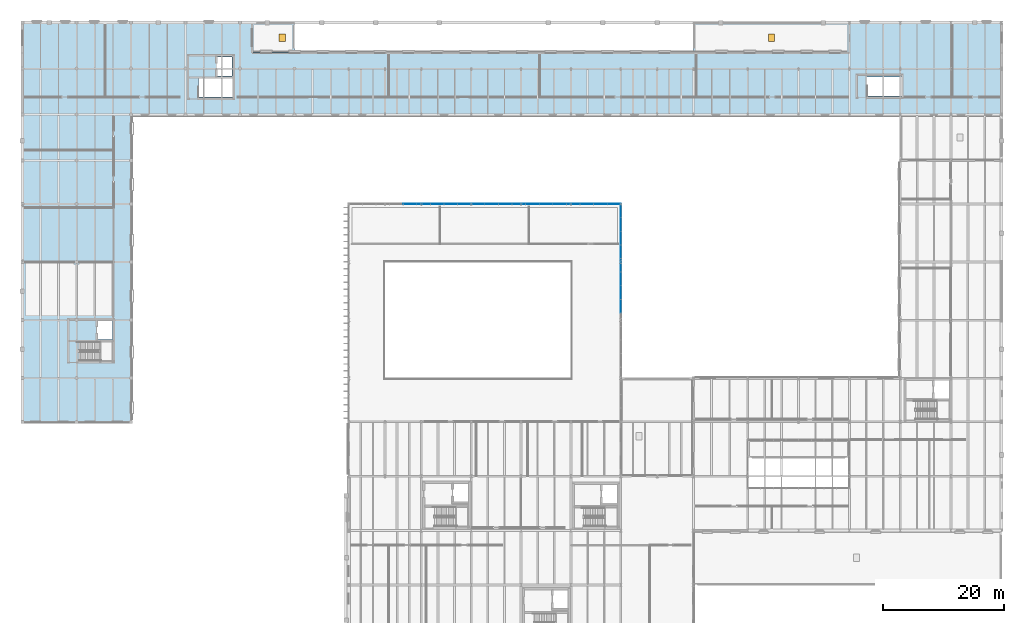
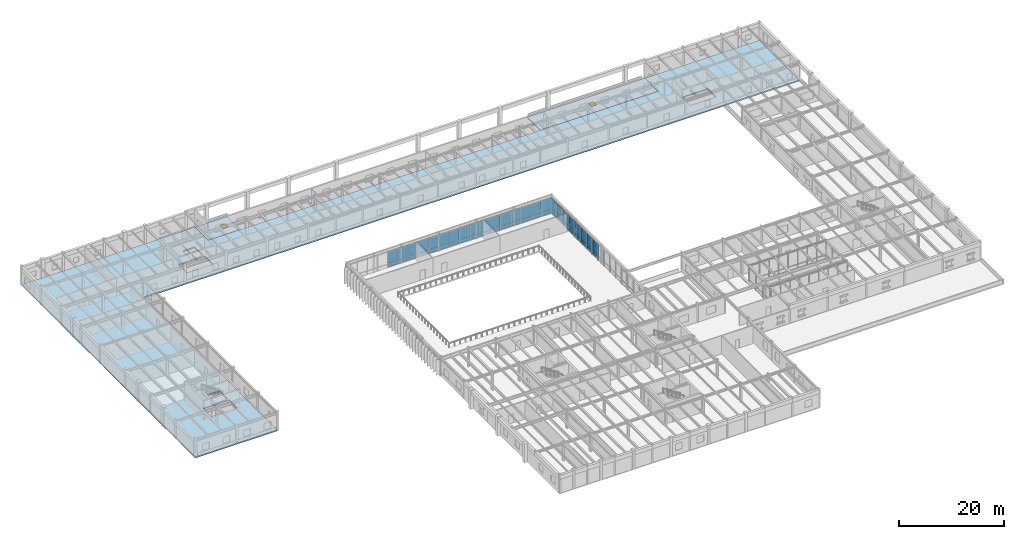
# One storey, part 37 of 64: 48 plates, 3 slabs, 2 doors, 7 openings, 8 elements without a shape of their own.
"""IFC4 building model written with IfcOpenShell, lengths in metres."""

from ifc_helpers import new_model, si_unit, direction, frame, origin, origin_2d, place, context, subcontext, project, spatial, polyline, rectangle, outline, extrude, material, layer, layer_set, type_object, element, fill, aggregate, save


model = new_model("IFC4")

# Units and contexts
model_context = context("Model", 3, precision=1e-05, world=origin(), true_north=direction((0.0, 1.0)))
body_context = subcontext(model_context, "Body", "Model", "MODEL_VIEW")
ifc_project = project(units=[si_unit("LENGTHUNIT", "METRE"), si_unit("AREAUNIT", "SQUARE_METRE"), si_unit("VOLUMEUNIT", "CUBIC_METRE"), si_unit("PLANEANGLEUNIT", "RADIAN"), si_unit("MASSUNIT", "GRAM", prefix="KILO")], contexts=[model_context])

# Site, building, storey
site_placement = place(None, origin())
site = spatial("IfcSite", under=ifc_project, at=site_placement, CompositionType="ELEMENT")
building_placement = place(site_placement, origin())
building = spatial("IfcBuilding", under=site, at=building_placement, Name="Montealbar Specialist Clinic", CompositionType="ELEMENT")
storey_placement = place(building_placement, frame((0.0, 0.0, 5.10009765625)))
storey = spatial("IfcBuildingStorey", under=building, at=storey_placement, Name="L01", CompositionType="ELEMENT", Elevation=5.10009765625)

# Curtain wall, plates
ifc_material_1 = material(Name="Low-E double glazing", Category="glass")
ifc_layer_1 = layer(ifc_material_1, 0.199951171875, Name="Low-E double glazing", Category="glass")
ifc_layer_set_1 = layer_set([ifc_layer_1], Name="Low-E double glazing")
curtain_wall_type = type_object("IfcCurtainWallType", Name="CW-TYPE-08", PredefinedType="NOTDEFINED", material=ifc_layer_set_1)
curtain_wall_1_placement = place(storey_placement, origin())
curtain_wall_1 = element("IfcCurtainWall", 1, at=curtain_wall_1_placement, inside=storey, type_object=curtain_wall_type, Name="Unitised Curtain Wall CW-L01-630-810-720-810-51", PredefinedType="NOTDEFINED")
ifc_layer_2 = layer(ifc_material_1, 0.048095703125, Name="Low-E double glazing", Category="glass")
ifc_layer_set_2 = layer_set([ifc_layer_2], Name="Low-E double glazing")
plate_type = type_object("IfcPlateType", Name="CW-PNL-IGU48", PredefinedType="CURTAIN_PANEL", material=ifc_layer_set_2)
plate_1_placement = place(storey_placement, frame((64.125, 81.0, 0.06982421875), z_axis=(0.0, 0.0, 1.0), x_axis=(1.0, 0.0, 0.0)))
plate_1 = element("IfcPlate", 2, at=plate_1_placement, type_object=plate_type, Name="Glazed Curtain Panel CW-L01-630-810-720-810-51-1-1", PredefinedType="CURTAIN_PANEL", context=body_context, shape_type="SweptSolid", body=[
    extrude(rectangle(XDim=2.177978515625, YDim=0.048095703125, at=origin_2d()), origin(), (0.0, 0.0, 1.0), 0.85009765625),
])
plate_2_placement = place(storey_placement, frame((64.125, 81.0, 0.97998046875), z_axis=(0.0, 0.0, 1.0), x_axis=(1.0, 0.0, 0.0)))
plate_2 = element("IfcPlate", 3, at=plate_2_placement, type_object=plate_type, Name="Glazed Curtain Panel CW-L01-630-810-720-810-51-1-2", PredefinedType="CURTAIN_PANEL", context=body_context, shape_type="SweptSolid", body=[
    extrude(rectangle(XDim=2.177978515625, YDim=0.048095703125, at=origin_2d()), origin(), (0.0, 0.0, 1.0), 2.75),
])
plate_3_placement = place(storey_placement, frame((66.375, 81.0, 0.06982421875), z_axis=(0.0, 0.0, 1.0), x_axis=(1.0, 0.0, 0.0)))
plate_3 = element("IfcPlate", 4, at=plate_3_placement, type_object=plate_type, Name="Glazed Curtain Panel CW-L01-630-810-720-810-51-2-1", PredefinedType="CURTAIN_PANEL", context=body_context, shape_type="SweptSolid", body=[
    extrude(rectangle(XDim=2.177978515625, YDim=0.048095703125, at=origin_2d()), origin(), (0.0, 0.0, 1.0), 0.85009765625),
])
plate_4_placement = place(storey_placement, frame((66.375, 81.0, 0.97998046875), z_axis=(0.0, 0.0, 1.0), x_axis=(1.0, 0.0, 0.0)))
plate_4 = element("IfcPlate", 5, at=plate_4_placement, type_object=plate_type, Name="Glazed Curtain Panel CW-L01-630-810-720-810-51-2-2", PredefinedType="CURTAIN_PANEL", context=body_context, shape_type="SweptSolid", body=[
    extrude(rectangle(XDim=2.177978515625, YDim=0.048095703125, at=origin_2d()), origin(), (0.0, 0.0, 1.0), 2.75),
])
plate_5_placement = place(storey_placement, frame((68.625, 81.0, 0.06982421875), z_axis=(0.0, 0.0, 1.0), x_axis=(1.0, 0.0, 0.0)))
plate_5 = element("IfcPlate", 6, at=plate_5_placement, type_object=plate_type, Name="Glazed Curtain Panel CW-L01-630-810-720-810-51-3-1", PredefinedType="CURTAIN_PANEL", context=body_context, shape_type="SweptSolid", body=[
    extrude(rectangle(XDim=2.177978515625, YDim=0.048095703125, at=origin_2d()), origin(), (0.0, 0.0, 1.0), 0.85009765625),
])
plate_6_placement = place(storey_placement, frame((68.625, 81.0, 0.97998046875), z_axis=(0.0, 0.0, 1.0), x_axis=(1.0, 0.0, 0.0)))
plate_6 = element("IfcPlate", 7, at=plate_6_placement, type_object=plate_type, Name="Glazed Curtain Panel CW-L01-630-810-720-810-51-3-2", PredefinedType="CURTAIN_PANEL", context=body_context, shape_type="SweptSolid", body=[
    extrude(rectangle(XDim=2.177978515625, YDim=0.048095703125, at=origin_2d()), origin(), (0.0, 0.0, 1.0), 2.75),
])
plate_7_placement = place(storey_placement, frame((70.875, 81.0, 0.06982421875), z_axis=(0.0, 0.0, 1.0), x_axis=(1.0, 0.0, 0.0)))
plate_7 = element("IfcPlate", 8, at=plate_7_placement, type_object=plate_type, Name="Glazed Curtain Panel CW-L01-630-810-720-810-51-4-1", PredefinedType="CURTAIN_PANEL", context=body_context, shape_type="SweptSolid", body=[
    extrude(rectangle(XDim=2.177978515625, YDim=0.048095703125, at=origin_2d()), origin(), (0.0, 0.0, 1.0), 0.85009765625),
])
plate_8_placement = place(storey_placement, frame((70.875, 81.0, 0.97998046875), z_axis=(0.0, 0.0, 1.0), x_axis=(1.0, 0.0, 0.0)))
plate_8 = element("IfcPlate", 9, at=plate_8_placement, type_object=plate_type, Name="Glazed Curtain Panel CW-L01-630-810-720-810-51-4-2", PredefinedType="CURTAIN_PANEL", context=body_context, shape_type="SweptSolid", body=[
    extrude(rectangle(XDim=2.177978515625, YDim=0.048095703125, at=origin_2d()), origin(), (0.0, 0.0, 1.0), 2.75),
])
aggregate(curtain_wall_1, [plate_1, plate_2, plate_3, plate_4, plate_5, plate_6, plate_7, plate_8])

curtain_wall_2_placement = place(storey_placement, origin())
curtain_wall_2 = element("IfcCurtainWall", 10, at=curtain_wall_2_placement, inside=storey, type_object=curtain_wall_type, Name="Unitised Curtain Wall CW-L01-720-810-810-810-51", PredefinedType="NOTDEFINED")
plate_9_placement = place(storey_placement, frame((73.125, 81.0, 0.06982421875), z_axis=(0.0, 0.0, 1.0), x_axis=(1.0, 0.0, 0.0)))
plate_9 = element("IfcPlate", 11, at=plate_9_placement, type_object=plate_type, Name="Glazed Curtain Panel CW-L01-720-810-810-810-51-1-1", PredefinedType="CURTAIN_PANEL", context=body_context, shape_type="SweptSolid", body=[
    extrude(rectangle(XDim=2.177978515625, YDim=0.048095703125, at=origin_2d()), origin(), (0.0, 0.0, 1.0), 0.85009765625),
])
plate_10_placement = place(storey_placement, frame((73.125, 81.0, 0.97998046875), z_axis=(0.0, 0.0, 1.0), x_axis=(1.0, 0.0, 0.0)))
plate_10 = element("IfcPlate", 12, at=plate_10_placement, type_object=plate_type, Name="Glazed Curtain Panel CW-L01-720-810-810-810-51-1-2", PredefinedType="CURTAIN_PANEL", context=body_context, shape_type="SweptSolid", body=[
    extrude(rectangle(XDim=2.177978515625, YDim=0.048095703125, at=origin_2d()), origin(), (0.0, 0.0, 1.0), 2.75),
])
plate_11_placement = place(storey_placement, frame((75.375, 81.0, 0.06982421875), z_axis=(0.0, 0.0, 1.0), x_axis=(1.0, 0.0, 0.0)))
plate_11 = element("IfcPlate", 13, at=plate_11_placement, type_object=plate_type, Name="Glazed Curtain Panel CW-L01-720-810-810-810-51-2-1", PredefinedType="CURTAIN_PANEL", context=body_context, shape_type="SweptSolid", body=[
    extrude(rectangle(XDim=2.177978515625, YDim=0.048095703125, at=origin_2d()), origin(), (0.0, 0.0, 1.0), 0.85009765625),
])
plate_12_placement = place(storey_placement, frame((75.375, 81.0, 0.97998046875), z_axis=(0.0, 0.0, 1.0), x_axis=(1.0, 0.0, 0.0)))
plate_12 = element("IfcPlate", 14, at=plate_12_placement, type_object=plate_type, Name="Glazed Curtain Panel CW-L01-720-810-810-810-51-2-2", PredefinedType="CURTAIN_PANEL", context=body_context, shape_type="SweptSolid", body=[
    extrude(rectangle(XDim=2.177978515625, YDim=0.048095703125, at=origin_2d()), origin(), (0.0, 0.0, 1.0), 2.75),
])
plate_13_placement = place(storey_placement, frame((77.625, 81.0, 0.06982421875), z_axis=(0.0, 0.0, 1.0), x_axis=(1.0, 0.0, 0.0)))
plate_13 = element("IfcPlate", 15, at=plate_13_placement, type_object=plate_type, Name="Glazed Curtain Panel CW-L01-720-810-810-810-51-3-1", PredefinedType="CURTAIN_PANEL", context=body_context, shape_type="SweptSolid", body=[
    extrude(rectangle(XDim=2.177978515625, YDim=0.048095703125, at=origin_2d()), origin(), (0.0, 0.0, 1.0), 0.85009765625),
])
plate_14_placement = place(storey_placement, frame((77.625, 81.0, 0.97998046875), z_axis=(0.0, 0.0, 1.0), x_axis=(1.0, 0.0, 0.0)))
plate_14 = element("IfcPlate", 16, at=plate_14_placement, type_object=plate_type, Name="Glazed Curtain Panel CW-L01-720-810-810-810-51-3-2", PredefinedType="CURTAIN_PANEL", context=body_context, shape_type="SweptSolid", body=[
    extrude(rectangle(XDim=2.177978515625, YDim=0.048095703125, at=origin_2d()), origin(), (0.0, 0.0, 1.0), 2.75),
])
plate_15_placement = place(storey_placement, frame((79.875, 81.0, 0.06982421875), z_axis=(0.0, 0.0, 1.0), x_axis=(1.0, 0.0, 0.0)))
plate_15 = element("IfcPlate", 17, at=plate_15_placement, type_object=plate_type, Name="Glazed Curtain Panel CW-L01-720-810-810-810-51-4-1", PredefinedType="CURTAIN_PANEL", context=body_context, shape_type="SweptSolid", body=[
    extrude(rectangle(XDim=2.177978515625, YDim=0.048095703125, at=origin_2d()), origin(), (0.0, 0.0, 1.0), 0.85009765625),
])
plate_16_placement = place(storey_placement, frame((79.875, 81.0, 0.97998046875), z_axis=(0.0, 0.0, 1.0), x_axis=(1.0, 0.0, 0.0)))
plate_16 = element("IfcPlate", 18, at=plate_16_placement, type_object=plate_type, Name="Glazed Curtain Panel CW-L01-720-810-810-810-51-4-2", PredefinedType="CURTAIN_PANEL", context=body_context, shape_type="SweptSolid", body=[
    extrude(rectangle(XDim=2.177978515625, YDim=0.048095703125, at=origin_2d()), origin(), (0.0, 0.0, 1.0), 2.75),
])
aggregate(curtain_wall_2, [plate_9, plate_10, plate_11, plate_12, plate_13, plate_14, plate_15, plate_16])

curtain_wall_3_placement = place(storey_placement, origin())
curtain_wall_3 = element("IfcCurtainWall", 19, at=curtain_wall_3_placement, inside=storey, type_object=curtain_wall_type, Name="Unitised Curtain Wall CW-L01-810-810-900-810-51", PredefinedType="NOTDEFINED")
plate_17_placement = place(storey_placement, frame((82.125, 81.0, 0.06982421875), z_axis=(0.0, 0.0, 1.0), x_axis=(1.0, 0.0, 0.0)))
plate_17 = element("IfcPlate", 20, at=plate_17_placement, type_object=plate_type, Name="Glazed Curtain Panel CW-L01-810-810-900-810-51-1-1", PredefinedType="CURTAIN_PANEL", context=body_context, shape_type="SweptSolid", body=[
    extrude(rectangle(XDim=2.177978515625, YDim=0.048095703125, at=origin_2d()), origin(), (0.0, 0.0, 1.0), 0.85009765625),
])
plate_18_placement = place(storey_placement, frame((82.125, 81.0, 0.97998046875), z_axis=(0.0, 0.0, 1.0), x_axis=(1.0, 0.0, 0.0)))
plate_18 = element("IfcPlate", 21, at=plate_18_placement, type_object=plate_type, Name="Glazed Curtain Panel CW-L01-810-810-900-810-51-1-2", PredefinedType="CURTAIN_PANEL", context=body_context, shape_type="SweptSolid", body=[
    extrude(rectangle(XDim=2.177978515625, YDim=0.048095703125, at=origin_2d()), origin(), (0.0, 0.0, 1.0), 2.75),
])
plate_19_placement = place(storey_placement, frame((84.375, 81.0, 0.06982421875), z_axis=(0.0, 0.0, 1.0), x_axis=(1.0, 0.0, 0.0)))
plate_19 = element("IfcPlate", 22, at=plate_19_placement, type_object=plate_type, Name="Glazed Curtain Panel CW-L01-810-810-900-810-51-2-1", PredefinedType="CURTAIN_PANEL", context=body_context, shape_type="SweptSolid", body=[
    extrude(rectangle(XDim=2.177978515625, YDim=0.048095703125, at=origin_2d()), origin(), (0.0, 0.0, 1.0), 0.85009765625),
])
plate_20_placement = place(storey_placement, frame((84.375, 81.0, 0.97998046875), z_axis=(0.0, 0.0, 1.0), x_axis=(1.0, 0.0, 0.0)))
plate_20 = element("IfcPlate", 23, at=plate_20_placement, type_object=plate_type, Name="Glazed Curtain Panel CW-L01-810-810-900-810-51-2-2", PredefinedType="CURTAIN_PANEL", context=body_context, shape_type="SweptSolid", body=[
    extrude(rectangle(XDim=2.177978515625, YDim=0.048095703125, at=origin_2d()), origin(), (0.0, 0.0, 1.0), 2.75),
])
plate_21_placement = place(storey_placement, frame((86.625, 81.0, 0.06982421875), z_axis=(0.0, 0.0, 1.0), x_axis=(1.0, 0.0, 0.0)))
plate_21 = element("IfcPlate", 24, at=plate_21_placement, type_object=plate_type, Name="Glazed Curtain Panel CW-L01-810-810-900-810-51-3-1", PredefinedType="CURTAIN_PANEL", context=body_context, shape_type="SweptSolid", body=[
    extrude(rectangle(XDim=2.177978515625, YDim=0.048095703125, at=origin_2d()), origin(), (0.0, 0.0, 1.0), 0.85009765625),
])
plate_22_placement = place(storey_placement, frame((86.625, 81.0, 0.97998046875), z_axis=(0.0, 0.0, 1.0), x_axis=(1.0, 0.0, 0.0)))
plate_22 = element("IfcPlate", 25, at=plate_22_placement, type_object=plate_type, Name="Glazed Curtain Panel CW-L01-810-810-900-810-51-3-2", PredefinedType="CURTAIN_PANEL", context=body_context, shape_type="SweptSolid", body=[
    extrude(rectangle(XDim=2.177978515625, YDim=0.048095703125, at=origin_2d()), origin(), (0.0, 0.0, 1.0), 2.75),
])
plate_23_placement = place(storey_placement, frame((88.875, 81.0, 0.06982421875), z_axis=(0.0, 0.0, 1.0), x_axis=(1.0, 0.0, 0.0)))
plate_23 = element("IfcPlate", 26, at=plate_23_placement, type_object=plate_type, Name="Glazed Curtain Panel CW-L01-810-810-900-810-51-4-1", PredefinedType="CURTAIN_PANEL", context=body_context, shape_type="SweptSolid", body=[
    extrude(rectangle(XDim=2.177978515625, YDim=0.048095703125, at=origin_2d()), origin(), (0.0, 0.0, 1.0), 0.85009765625),
])
plate_24_placement = place(storey_placement, frame((88.875, 81.0, 0.97998046875), z_axis=(0.0, 0.0, 1.0), x_axis=(1.0, 0.0, 0.0)))
plate_24 = element("IfcPlate", 27, at=plate_24_placement, type_object=plate_type, Name="Glazed Curtain Panel CW-L01-810-810-900-810-51-4-2", PredefinedType="CURTAIN_PANEL", context=body_context, shape_type="SweptSolid", body=[
    extrude(rectangle(XDim=2.177978515625, YDim=0.048095703125, at=origin_2d()), origin(), (0.0, 0.0, 1.0), 2.75),
])
aggregate(curtain_wall_3, [plate_17, plate_18, plate_19, plate_20, plate_21, plate_22, plate_23, plate_24])

curtain_wall_4_placement = place(storey_placement, origin())
curtain_wall_4 = element("IfcCurtainWall", 28, at=curtain_wall_4_placement, inside=storey, type_object=curtain_wall_type, Name="Unitised Curtain Wall CW-L01-900-810-990-810-51", PredefinedType="NOTDEFINED")
plate_25_placement = place(storey_placement, frame((91.125, 81.0, 0.06982421875), z_axis=(0.0, 0.0, 1.0), x_axis=(1.0, 0.0, 0.0)))
plate_25 = element("IfcPlate", 29, at=plate_25_placement, type_object=plate_type, Name="Glazed Curtain Panel CW-L01-900-810-990-810-51-1-1", PredefinedType="CURTAIN_PANEL", context=body_context, shape_type="SweptSolid", body=[
    extrude(rectangle(XDim=2.177978515625, YDim=0.048095703125, at=origin_2d()), origin(), (0.0, 0.0, 1.0), 0.85009765625),
])
plate_26_placement = place(storey_placement, frame((91.125, 81.0, 0.97998046875), z_axis=(0.0, 0.0, 1.0), x_axis=(1.0, 0.0, 0.0)))
plate_26 = element("IfcPlate", 30, at=plate_26_placement, type_object=plate_type, Name="Glazed Curtain Panel CW-L01-900-810-990-810-51-1-2", PredefinedType="CURTAIN_PANEL", context=body_context, shape_type="SweptSolid", body=[
    extrude(rectangle(XDim=2.177978515625, YDim=0.048095703125, at=origin_2d()), origin(), (0.0, 0.0, 1.0), 2.75),
])
plate_27_placement = place(storey_placement, frame((93.375, 81.0, 0.06982421875), z_axis=(0.0, 0.0, 1.0), x_axis=(1.0, 0.0, 0.0)))
plate_27 = element("IfcPlate", 31, at=plate_27_placement, type_object=plate_type, Name="Glazed Curtain Panel CW-L01-900-810-990-810-51-2-1", PredefinedType="CURTAIN_PANEL", context=body_context, shape_type="SweptSolid", body=[
    extrude(rectangle(XDim=2.177978515625, YDim=0.048095703125, at=origin_2d()), origin(), (0.0, 0.0, 1.0), 0.85009765625),
])
plate_28_placement = place(storey_placement, frame((93.375, 81.0, 0.97998046875), z_axis=(0.0, 0.0, 1.0), x_axis=(1.0, 0.0, 0.0)))
plate_28 = element("IfcPlate", 32, at=plate_28_placement, type_object=plate_type, Name="Glazed Curtain Panel CW-L01-900-810-990-810-51-2-2", PredefinedType="CURTAIN_PANEL", context=body_context, shape_type="SweptSolid", body=[
    extrude(rectangle(XDim=2.177978515625, YDim=0.048095703125, at=origin_2d()), origin(), (0.0, 0.0, 1.0), 2.75),
])
plate_29_placement = place(storey_placement, frame((95.625, 81.0, 0.06982421875), z_axis=(0.0, 0.0, 1.0), x_axis=(1.0, 0.0, 0.0)))
plate_29 = element("IfcPlate", 33, at=plate_29_placement, type_object=plate_type, Name="Glazed Curtain Panel CW-L01-900-810-990-810-51-3-1", PredefinedType="CURTAIN_PANEL", context=body_context, shape_type="SweptSolid", body=[
    extrude(rectangle(XDim=2.177978515625, YDim=0.048095703125, at=origin_2d()), origin(), (0.0, 0.0, 1.0), 0.85009765625),
])
plate_30_placement = place(storey_placement, frame((95.625, 81.0, 0.97998046875), z_axis=(0.0, 0.0, 1.0), x_axis=(1.0, 0.0, 0.0)))
plate_30 = element("IfcPlate", 34, at=plate_30_placement, type_object=plate_type, Name="Glazed Curtain Panel CW-L01-900-810-990-810-51-3-2", PredefinedType="CURTAIN_PANEL", context=body_context, shape_type="SweptSolid", body=[
    extrude(rectangle(XDim=2.177978515625, YDim=0.048095703125, at=origin_2d()), origin(), (0.0, 0.0, 1.0), 2.75),
])
plate_31_placement = place(storey_placement, frame((97.875, 81.0, 0.06982421875), z_axis=(0.0, 0.0, 1.0), x_axis=(1.0, 0.0, 0.0)))
plate_31 = element("IfcPlate", 35, at=plate_31_placement, type_object=plate_type, Name="Glazed Curtain Panel CW-L01-900-810-990-810-51-4-1", PredefinedType="CURTAIN_PANEL", context=body_context, shape_type="SweptSolid", body=[
    extrude(rectangle(XDim=2.177978515625, YDim=0.048095703125, at=origin_2d()), origin(), (0.0, 0.0, 1.0), 0.85009765625),
])
plate_32_placement = place(storey_placement, frame((97.875, 81.0, 0.97998046875), z_axis=(0.0, 0.0, 1.0), x_axis=(1.0, 0.0, 0.0)))
plate_32 = element("IfcPlate", 36, at=plate_32_placement, type_object=plate_type, Name="Glazed Curtain Panel CW-L01-900-810-990-810-51-4-2", PredefinedType="CURTAIN_PANEL", context=body_context, shape_type="SweptSolid", body=[
    extrude(rectangle(XDim=2.177978515625, YDim=0.048095703125, at=origin_2d()), origin(), (0.0, 0.0, 1.0), 2.75),
])
aggregate(curtain_wall_4, [plate_25, plate_26, plate_27, plate_28, plate_29, plate_30, plate_31, plate_32])

curtain_wall_5_placement = place(storey_placement, origin())
curtain_wall_5 = element("IfcCurtainWall", 37, at=curtain_wall_5_placement, inside=storey, type_object=curtain_wall_type, Name="Unitised Curtain Wall CW-L01-990-810-990-720-51", PredefinedType="NOTDEFINED")
plate_33_placement = place(storey_placement, frame((99.0, 79.875, 0.06982421875), z_axis=(0.0, 0.0, 1.0), x_axis=(0.0, -1.0, 0.0)))
plate_33 = element("IfcPlate", 38, at=plate_33_placement, type_object=plate_type, Name="Glazed Curtain Panel CW-L01-990-810-990-720-51-1-1", PredefinedType="CURTAIN_PANEL", context=body_context, shape_type="SweptSolid", body=[
    extrude(rectangle(XDim=2.177978515625, YDim=0.048095703125, at=origin_2d()), origin(), (0.0, 0.0, 1.0), 0.85009765625),
])
plate_34_placement = place(storey_placement, frame((99.0, 79.875, 0.97998046875), z_axis=(0.0, 0.0, 1.0), x_axis=(0.0, -1.0, 0.0)))
plate_34 = element("IfcPlate", 39, at=plate_34_placement, type_object=plate_type, Name="Glazed Curtain Panel CW-L01-990-810-990-720-51-1-2", PredefinedType="CURTAIN_PANEL", context=body_context, shape_type="SweptSolid", body=[
    extrude(rectangle(XDim=2.177978515625, YDim=0.048095703125, at=origin_2d()), origin(), (0.0, 0.0, 1.0), 2.75),
])
plate_35_placement = place(storey_placement, frame((99.0, 77.625, 0.06982421875), z_axis=(0.0, 0.0, 1.0), x_axis=(0.0, -1.0, 0.0)))
plate_35 = element("IfcPlate", 40, at=plate_35_placement, type_object=plate_type, Name="Glazed Curtain Panel CW-L01-990-810-990-720-51-2-1", PredefinedType="CURTAIN_PANEL", context=body_context, shape_type="SweptSolid", body=[
    extrude(rectangle(XDim=2.177978515625, YDim=0.048095703125, at=origin_2d()), origin(), (0.0, 0.0, 1.0), 0.85009765625),
])
plate_36_placement = place(storey_placement, frame((99.0, 77.625, 0.97998046875), z_axis=(0.0, 0.0, 1.0), x_axis=(0.0, -1.0, 0.0)))
plate_36 = element("IfcPlate", 41, at=plate_36_placement, type_object=plate_type, Name="Glazed Curtain Panel CW-L01-990-810-990-720-51-2-2", PredefinedType="CURTAIN_PANEL", context=body_context, shape_type="SweptSolid", body=[
    extrude(rectangle(XDim=2.177978515625, YDim=0.048095703125, at=origin_2d()), origin(), (0.0, 0.0, 1.0), 2.75),
])
plate_37_placement = place(storey_placement, frame((99.0, 75.375, 0.06982421875), z_axis=(0.0, 0.0, 1.0), x_axis=(0.0, -1.0, 0.0)))
plate_37 = element("IfcPlate", 42, at=plate_37_placement, type_object=plate_type, Name="Glazed Curtain Panel CW-L01-990-810-990-720-51-3-1", PredefinedType="CURTAIN_PANEL", context=body_context, shape_type="SweptSolid", body=[
    extrude(rectangle(XDim=2.177978515625, YDim=0.048095703125, at=origin_2d()), origin(), (0.0, 0.0, 1.0), 0.85009765625),
])
plate_38_placement = place(storey_placement, frame((99.0, 75.375, 0.97998046875), z_axis=(0.0, 0.0, 1.0), x_axis=(0.0, -1.0, 0.0)))
plate_38 = element("IfcPlate", 43, at=plate_38_placement, type_object=plate_type, Name="Glazed Curtain Panel CW-L01-990-810-990-720-51-3-2", PredefinedType="CURTAIN_PANEL", context=body_context, shape_type="SweptSolid", body=[
    extrude(rectangle(XDim=2.177978515625, YDim=0.048095703125, at=origin_2d()), origin(), (0.0, 0.0, 1.0), 2.75),
])
plate_39_placement = place(storey_placement, frame((99.0, 73.125, 0.06982421875), z_axis=(0.0, 0.0, 1.0), x_axis=(0.0, -1.0, 0.0)))
plate_39 = element("IfcPlate", 44, at=plate_39_placement, type_object=plate_type, Name="Glazed Curtain Panel CW-L01-990-810-990-720-51-4-1", PredefinedType="CURTAIN_PANEL", context=body_context, shape_type="SweptSolid", body=[
    extrude(rectangle(XDim=2.177978515625, YDim=0.048095703125, at=origin_2d()), origin(), (0.0, 0.0, 1.0), 0.85009765625),
])
plate_40_placement = place(storey_placement, frame((99.0, 73.125, 0.97998046875), z_axis=(0.0, 0.0, 1.0), x_axis=(0.0, -1.0, 0.0)))
plate_40 = element("IfcPlate", 45, at=plate_40_placement, type_object=plate_type, Name="Glazed Curtain Panel CW-L01-990-810-990-720-51-4-2", PredefinedType="CURTAIN_PANEL", context=body_context, shape_type="SweptSolid", body=[
    extrude(rectangle(XDim=2.177978515625, YDim=0.048095703125, at=origin_2d()), origin(), (0.0, 0.0, 1.0), 2.75),
])
aggregate(curtain_wall_5, [plate_33, plate_34, plate_35, plate_36, plate_37, plate_38, plate_39, plate_40])

curtain_wall_6_placement = place(storey_placement, origin())
curtain_wall_6 = element("IfcCurtainWall", 46, at=curtain_wall_6_placement, inside=storey, type_object=curtain_wall_type, Name="Unitised Curtain Wall CW-L01-990-720-990-630-51", PredefinedType="NOTDEFINED")
plate_41_placement = place(storey_placement, frame((99.0, 70.875, 0.06982421875), z_axis=(0.0, 0.0, 1.0), x_axis=(0.0, -1.0, 0.0)))
plate_41 = element("IfcPlate", 47, at=plate_41_placement, type_object=plate_type, Name="Glazed Curtain Panel CW-L01-990-720-990-630-51-1-1", PredefinedType="CURTAIN_PANEL", context=body_context, shape_type="SweptSolid", body=[
    extrude(rectangle(XDim=2.177978515625, YDim=0.048095703125, at=origin_2d()), origin(), (0.0, 0.0, 1.0), 0.85009765625),
])
plate_42_placement = place(storey_placement, frame((99.0, 70.875, 0.97998046875), z_axis=(0.0, 0.0, 1.0), x_axis=(0.0, -1.0, 0.0)))
plate_42 = element("IfcPlate", 48, at=plate_42_placement, type_object=plate_type, Name="Glazed Curtain Panel CW-L01-990-720-990-630-51-1-2", PredefinedType="CURTAIN_PANEL", context=body_context, shape_type="SweptSolid", body=[
    extrude(rectangle(XDim=2.177978515625, YDim=0.048095703125, at=origin_2d()), origin(), (0.0, 0.0, 1.0), 2.75),
])
plate_43_placement = place(storey_placement, frame((99.0, 68.625, 0.06982421875), z_axis=(0.0, 0.0, 1.0), x_axis=(0.0, -1.0, 0.0)))
plate_43 = element("IfcPlate", 49, at=plate_43_placement, type_object=plate_type, Name="Glazed Curtain Panel CW-L01-990-720-990-630-51-2-1", PredefinedType="CURTAIN_PANEL", context=body_context, shape_type="SweptSolid", body=[
    extrude(rectangle(XDim=2.177978515625, YDim=0.048095703125, at=origin_2d()), origin(), (0.0, 0.0, 1.0), 0.85009765625),
])
plate_44_placement = place(storey_placement, frame((99.0, 68.625, 0.97998046875), z_axis=(0.0, 0.0, 1.0), x_axis=(0.0, -1.0, 0.0)))
plate_44 = element("IfcPlate", 50, at=plate_44_placement, type_object=plate_type, Name="Glazed Curtain Panel CW-L01-990-720-990-630-51-2-2", PredefinedType="CURTAIN_PANEL", context=body_context, shape_type="SweptSolid", body=[
    extrude(rectangle(XDim=2.177978515625, YDim=0.048095703125, at=origin_2d()), origin(), (0.0, 0.0, 1.0), 2.75),
])
plate_45_placement = place(storey_placement, frame((99.0, 66.375, 0.06982421875), z_axis=(0.0, 0.0, 1.0), x_axis=(0.0, -1.0, 0.0)))
plate_45 = element("IfcPlate", 51, at=plate_45_placement, type_object=plate_type, Name="Glazed Curtain Panel CW-L01-990-720-990-630-51-3-1", PredefinedType="CURTAIN_PANEL", context=body_context, shape_type="SweptSolid", body=[
    extrude(rectangle(XDim=2.177978515625, YDim=0.048095703125, at=origin_2d()), origin(), (0.0, 0.0, 1.0), 0.85009765625),
])
plate_46_placement = place(storey_placement, frame((99.0, 66.375, 0.97998046875), z_axis=(0.0, 0.0, 1.0), x_axis=(0.0, -1.0, 0.0)))
plate_46 = element("IfcPlate", 52, at=plate_46_placement, type_object=plate_type, Name="Glazed Curtain Panel CW-L01-990-720-990-630-51-3-2", PredefinedType="CURTAIN_PANEL", context=body_context, shape_type="SweptSolid", body=[
    extrude(rectangle(XDim=2.177978515625, YDim=0.048095703125, at=origin_2d()), origin(), (0.0, 0.0, 1.0), 2.75),
])
plate_47_placement = place(storey_placement, frame((99.0, 64.125, 0.06982421875), z_axis=(0.0, 0.0, 1.0), x_axis=(0.0, -1.0, 0.0)))
plate_47 = element("IfcPlate", 53, at=plate_47_placement, type_object=plate_type, Name="Glazed Curtain Panel CW-L01-990-720-990-630-51-4-1", PredefinedType="CURTAIN_PANEL", context=body_context, shape_type="SweptSolid", body=[
    extrude(rectangle(XDim=2.177978515625, YDim=0.048095703125, at=origin_2d()), origin(), (0.0, 0.0, 1.0), 0.85009765625),
])
plate_48_placement = place(storey_placement, frame((99.0, 64.125, 0.97998046875), z_axis=(0.0, 0.0, 1.0), x_axis=(0.0, -1.0, 0.0)))
plate_48 = element("IfcPlate", 54, at=plate_48_placement, type_object=plate_type, Name="Glazed Curtain Panel CW-L01-990-720-990-630-51-4-2", PredefinedType="CURTAIN_PANEL", context=body_context, shape_type="SweptSolid", body=[
    extrude(rectangle(XDim=2.177978515625, YDim=0.048095703125, at=origin_2d()), origin(), (0.0, 0.0, 1.0), 2.75),
])
aggregate(curtain_wall_6, [plate_41, plate_42, plate_43, plate_44, plate_45, plate_46, plate_47, plate_48])

# Slab, openings
ifc_material_2 = material(Name="Concrete C35/45", Category="concrete")
ifc_layer_3 = layer(ifc_material_2, 0.2900390625, Name="Concrete C35/45", Category="concrete")
ifc_layer_set_3 = layer_set([ifc_layer_3], Name="Concrete C35/45")
slab_type_1 = type_object("IfcSlabType", Name="SL-FLR-250", PredefinedType="FLOOR", material=ifc_layer_set_3)
slab_1_placement = place(storey_placement, frame((0.0, 0.0, -0.2900390625)))
slab_1 = element("IfcSlab", 55, at=slab_1_placement, inside=storey, type_object=slab_type_1, Name="Structural Slab L01 Wing 1", PredefinedType="FLOOR", context=body_context, shape_type="SweptSolid", body=[
    extrude(outline(polyline([(0.0, 45.0), (0.0, 111.0), (38.0, 111.0), (38.0, 106.0), (136.800048828125, 106.0), (136.800048828125, 111.0), (162.0, 111.0), (162.0, 95.800048828125), (18.0, 95.800048828125), (18.0, 45.0), (0.0, 45.0)]), holes=[polyline([(9.35009765625, 58.199951171875), (9.35009765625, 55.10009765625), (15.050048828125, 55.10009765625), (15.050048828125, 58.199951171875), (9.35009765625, 58.199951171875)]), polyline([(14.902099609375, 61.701904296875), (12.298095703125, 61.701904296875), (12.298095703125, 58.597900390625), (14.902099609375, 58.597900390625), (14.902099609375, 61.701904296875)]), polyline([(34.85009765625, 101.800048828125), (29.14990234375, 101.800048828125), (29.14990234375, 98.699951171875), (34.85009765625, 98.699951171875), (34.85009765625, 101.800048828125)]), polyline([(32.097900390625, 105.302001953125), (32.097900390625, 102.197998046875), (34.701904296875, 102.197998046875), (34.701904296875, 105.302001953125), (32.097900390625, 105.302001953125)]), polyline([(145.449951171875, 102.0), (139.75, 102.0), (139.75, 98.89990234375), (145.449951171875, 98.89990234375), (145.449951171875, 102.0)])]), origin(), (0.0, 0.0, 1.0), 0.2900390625),
])
opening_1_placement = place(slab_1_placement, frame((12.2001953125, 56.64990234375, -0.010009765625)))
element("IfcOpeningElement", 56, at=opening_1_placement, cuts=slab_1, Name="Opening STAIRVOID-C1-L01-1", PredefinedType="OPENING", context=body_context, shape_type="SweptSolid", body=[
    extrude(rectangle(XDim=5.696044921875, YDim=3.095947265625, at=origin_2d()), origin(), (0.0, 0.0, 1.0), 0.31005859375),
])
opening_2_placement = place(slab_1_placement, frame((13.60009765625, 60.14990234375, -0.010009765625)))
element("IfcOpeningElement", 57, at=opening_2_placement, cuts=slab_1, Name="Opening LIFTSHAFT-LF-01-L01", PredefinedType="OPENING", context=body_context, shape_type="SweptSolid", body=[
    extrude(rectangle(XDim=2.60009765625, YDim=3.10009765625, at=origin_2d()), origin(), (0.0, 0.0, 1.0), 0.31005859375),
])
opening_3_placement = place(slab_1_placement, frame((32.0, 100.25, -0.010009765625)))
element("IfcOpeningElement", 58, at=opening_3_placement, cuts=slab_1, Name="Opening STAIRVOID-C2-L01-1", PredefinedType="OPENING", context=body_context, shape_type="SweptSolid", body=[
    extrude(rectangle(XDim=5.6962890625, YDim=3.09619140625, at=origin_2d()), origin(), (0.0, 0.0, 1.0), 0.31005859375),
])
opening_4_placement = place(slab_1_placement, frame((33.39990234375, 103.75, -0.010009765625)))
element("IfcOpeningElement", 59, at=opening_4_placement, cuts=slab_1, Name="Opening LIFTSHAFT-LF-02-L01", PredefinedType="OPENING", context=body_context, shape_type="SweptSolid", body=[
    extrude(rectangle(XDim=2.60009765625, YDim=3.10009765625, at=origin_2d()), origin(), (0.0, 0.0, 1.0), 0.31005859375),
])
opening_5_placement = place(slab_1_placement, frame((142.60009765625, 100.449951171875, -0.010009765625)))
element("IfcOpeningElement", 60, at=opening_5_placement, cuts=slab_1, Name="Opening STAIRVOID-C7-L01-1", PredefinedType="OPENING", context=body_context, shape_type="SweptSolid", body=[
    extrude(rectangle(XDim=5.696044921875, YDim=3.09619140625, at=origin_2d()), origin(), (0.0, 0.0, 1.0), 0.31005859375),
])

# Roof, slab, opening, door
ifc_material_3 = material(Name="Weatherproof roofing membrane", Category="concrete")
roof_type = type_object("IfcRoofType", Name="ROOF-CONT-FLAT", PredefinedType="FLAT_ROOF", material=ifc_material_3)
roof_1_placement = place(storey_placement, origin())
roof_1 = element("IfcRoof", 61, at=roof_1_placement, inside=storey, type_object=roof_type, Name="Flat Roof Assembly ROOF-L01-04", PredefinedType="FLAT_ROOF")
ifc_layer_4 = layer(ifc_material_2, 0.27001953125, Name="Concrete C35/45", Category="concrete")
ifc_layer_set_4 = layer_set([ifc_layer_4], Name="Concrete C35/45")
slab_type_2 = type_object("IfcSlabType", Name="SL-ROOF-220", PredefinedType="ROOF", material=ifc_layer_set_4)
slab_2_placement = place(storey_placement, frame((0.0, 0.0, -0.27001953125)))
slab_2 = element("IfcSlab", 62, at=slab_2_placement, type_object=slab_type_2, Name="Roof Slab ROOF-L01-04", PredefinedType="ROOF", context=body_context, shape_type="SweptSolid", body=[
    extrude(outline(polyline([(136.800048828125, 106.0), (111.0, 106.0), (111.0, 111.0), (136.800048828125, 111.0), (136.800048828125, 106.0)]), holes=[polyline([(124.389892578125, 109.090087890625), (123.409912109375, 109.090087890625), (123.409912109375, 107.909912109375), (124.389892578125, 107.909912109375), (124.389892578125, 109.090087890625)])]), origin(), (0.0, 0.0, 1.0), 0.27001953125),
])
opening_6_placement = place(slab_2_placement, frame((123.89990234375, 108.5, -0.010009765625)))
opening_6 = element("IfcOpeningElement", 63, at=opening_6_placement, cuts=slab_2, Name="Opening HT-01", PredefinedType="OPENING", context=body_context, shape_type="SweptSolid", body=[
    extrude(rectangle(XDim=1.0, YDim=1.199951171875, at=origin_2d()), origin(), (0.0, 0.0, 1.0), 0.2900390625),
])
ifc_material_4 = material(Name="Powder-coated aluminium", Category="aluminium")
door_type = type_object("IfcDoorType", Name="DR-HATCH-RF01", OperationType="SINGLE_SWING_LEFT", PredefinedType="TRAPDOOR", material=ifc_material_4)
door_1_placement = place(slab_2_placement, frame((123.89990234375, 108.5, 0.219970703125)))
door_1 = element("IfcDoor", 64, at=door_1_placement, inside=storey, type_object=door_type, Name="Roof Maintenance Access Hatch HT-03", OperationType="SINGLE_SWING_LEFT", OverallHeight=1.199951171875, OverallWidth=1.0, PredefinedType="TRAPDOOR", context=body_context, shape_type="SweptSolid", body=[
    extrude(rectangle(XDim=1.0, YDim=1.199951171875, at=origin_2d()), origin(), (0.0, 0.0, 1.0), 0.050048828125),
])
fill(opening_6, door_1)
aggregate(roof_1, [slab_2])

roof_2_placement = place(storey_placement, origin())
roof_2 = element("IfcRoof", 65, at=roof_2_placement, inside=storey, type_object=roof_type, Name="Flat Roof Assembly ROOF-L01-06", PredefinedType="FLAT_ROOF")
slab_3_placement = place(storey_placement, frame((0.0, 0.0, -0.27001953125)))
slab_3 = element("IfcSlab", 66, at=slab_3_placement, type_object=slab_type_2, Name="Roof Slab ROOF-L01-06", PredefinedType="ROOF", context=body_context, shape_type="SweptSolid", body=[
    extrude(outline(polyline([(38.0, 106.0), (38.0, 111.0), (45.0, 111.0), (45.0, 106.0), (38.0, 106.0)]), holes=[polyline([(43.489990234375, 109.090087890625), (42.510009765625, 109.090087890625), (42.510009765625, 107.909912109375), (43.489990234375, 107.909912109375), (43.489990234375, 109.090087890625)])]), origin(), (0.0, 0.0, 1.0), 0.27001953125),
])
opening_7_placement = place(slab_3_placement, frame((43.0, 108.5, -0.010009765625)))
opening_7 = element("IfcOpeningElement", 67, at=opening_7_placement, cuts=slab_3, Name="Opening HT-01", PredefinedType="OPENING", context=body_context, shape_type="SweptSolid", body=[
    extrude(rectangle(XDim=1.0, YDim=1.199951171875, at=origin_2d()), origin(), (0.0, 0.0, 1.0), 0.2900390625),
])
door_2_placement = place(slab_3_placement, frame((43.0, 108.5, 0.219970703125)))
door_2 = element("IfcDoor", 68, at=door_2_placement, inside=storey, type_object=door_type, Name="Roof Maintenance Access Hatch HT-05", OperationType="SINGLE_SWING_LEFT", OverallHeight=1.199951171875, OverallWidth=1.0, PredefinedType="TRAPDOOR", context=body_context, shape_type="SweptSolid", body=[
    extrude(rectangle(XDim=1.0, YDim=1.199951171875, at=origin_2d()), origin(), (0.0, 0.0, 1.0), 0.050048828125),
])
fill(opening_7, door_2)
aggregate(roof_2, [slab_3])

save(model, "model.ifc")
